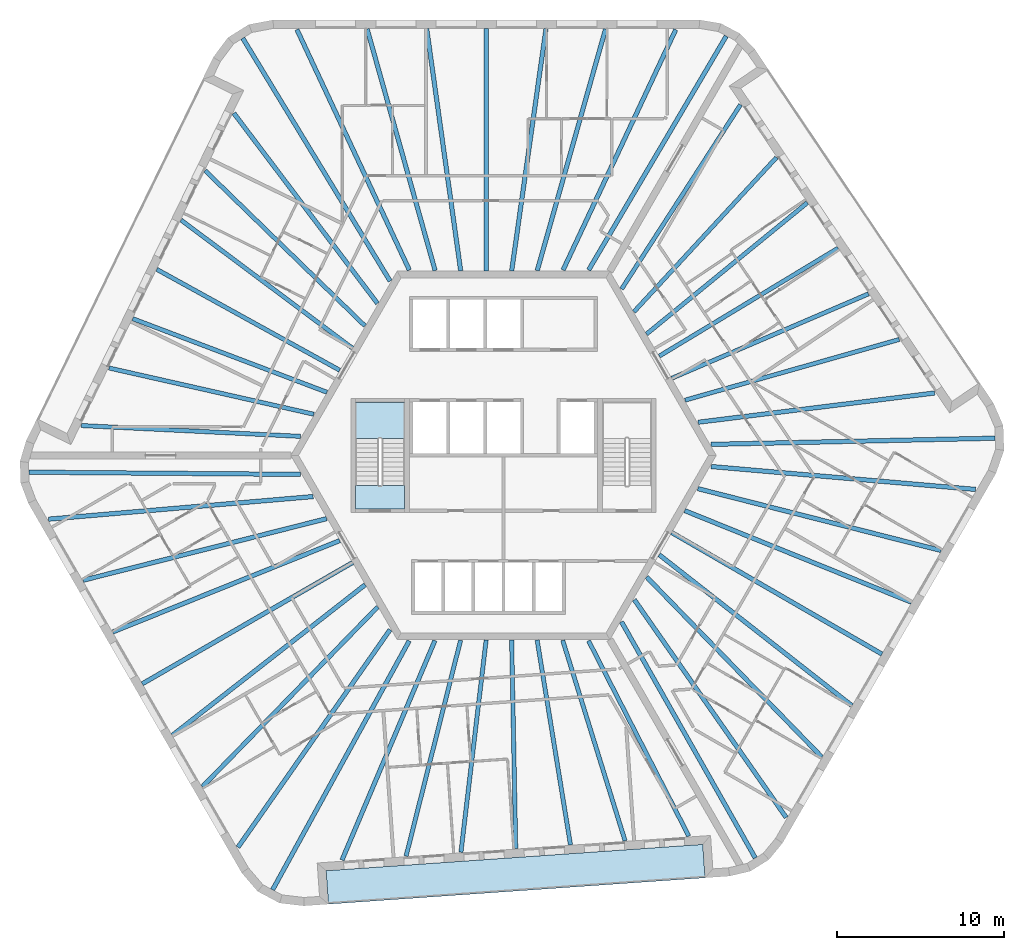
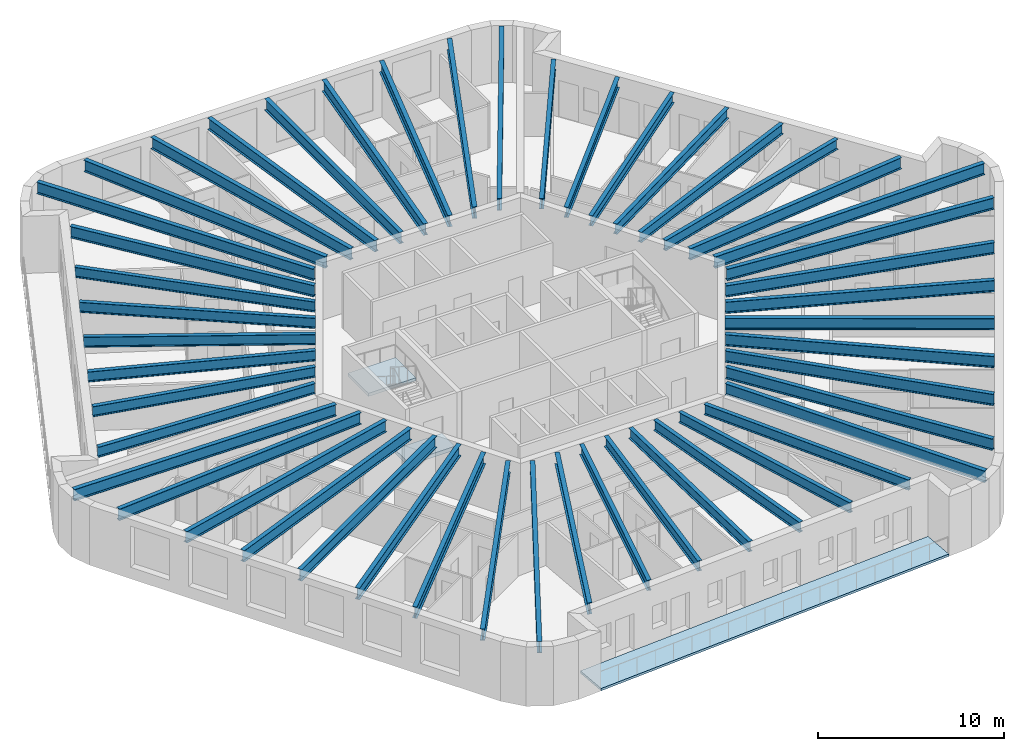
# One storey, part 1 of 12: 48 beams, 3 slabs, 1 element without a shape of its own.
"""IFC4 building model written with IfcOpenShell, lengths in metres."""

from ifc_helpers import new_model, si_unit, direction, frame, origin, origin_2d, place, context, subcontext, project, spatial, polyline, i_section, outline, extrude, material, layer, layer_set, material_profile, profile_set, type_object, element, aggregate, save


model = new_model("IFC4")

# Units and contexts
model_context = context("Model", 3, precision=1e-05, world=origin(), true_north=direction((0.0, 1.0)))
body_context = subcontext(model_context, "Body", "Model", "MODEL_VIEW")
ifc_project = project(units=[si_unit("LENGTHUNIT", "METRE"), si_unit("AREAUNIT", "SQUARE_METRE"), si_unit("VOLUMEUNIT", "CUBIC_METRE"), si_unit("PLANEANGLEUNIT", "RADIAN"), si_unit("MASSUNIT", "GRAM", prefix="KILO")], contexts=[model_context])

# Site, building, storey
site_placement = place(None, origin())
site = spatial("IfcSite", under=ifc_project, at=site_placement, CompositionType="ELEMENT")
building_placement = place(site_placement, origin())
building = spatial("IfcBuilding", under=site, at=building_placement, Name="Tarnside Tower", CompositionType="ELEMENT")
storey_placement = place(building_placement, frame((0.0, 0.0, 330.300048828125)))
storey = spatial("IfcBuildingStorey", under=building, at=storey_placement, Name="L80", CompositionType="ELEMENT", Elevation=330.300048828125)

# Beams
ifc_material_1 = material(Name="Steel S355", Category="steel")
ifc_material_profile_1 = material_profile(ifc_material_1, i_section(OverallWidth=0.2529296875, OverallDepth=0.677978515625, WebThickness=0.01171875, FlangeThickness=0.01611328125, FilletRadius=0.01513671875, at=origin_2d()), Name="UB 686x254x125")
ifc_profile_set_1 = profile_set([ifc_material_profile_1], Name="Steel S355")
beam_type_1 = type_object("IfcBeamType", Name="Floor beam UB 686x254x125", PredefinedType="BEAM", material=ifc_profile_set_1)
beam_1_placement = place(storey_placement, frame((-17.811279296875, 17.002197265625, 3.410888671875), z_axis=(0.717190986424, -0.696876666988, 0.0), x_axis=(0.696876666988, 0.717190986424, 0.0)))
element("IfcBeam", 1, at=beam_1_placement, inside=storey, type_object=beam_type_1, Name="Floor beam F2.02", PredefinedType="BEAM", context=body_context, shape_type="SweptSolid", body=[
    extrude(i_section(OverallWidth=0.2529296875, OverallDepth=0.677978515625, WebThickness=0.01171875, FlangeThickness=0.01611328125, FilletRadius=0.01513671875, at=origin_2d()), origin(), (0.0, 0.0, 1.0), 13.2919921875),
])
beam_2_placement = place(storey_placement, frame((-19.25, 14.0498046875, 3.410888671875), z_axis=(0.801006417676, -0.598655759883, 0.0), x_axis=(0.598655759883, 0.801006417676, 0.0)))
element("IfcBeam", 2, at=beam_2_placement, inside=storey, type_object=beam_type_1, Name="Floor beam F2.03", PredefinedType="BEAM", context=body_context, shape_type="SweptSolid", body=[
    extrude(i_section(OverallWidth=0.2529296875, OverallDepth=0.677978515625, WebThickness=0.01171875, FlangeThickness=0.01611328125, FilletRadius=0.01513671875, at=origin_2d()), origin(), (0.0, 0.0, 1.0), 12.764892578125),
])
beam_3_placement = place(storey_placement, frame((-20.70458984375, 11.111572265625, 3.410888671875), z_axis=(0.875666768762, -0.482915841619, 0.0), x_axis=(0.482915841619, 0.875666768762, 0.0)))
element("IfcBeam", 3, at=beam_3_placement, inside=storey, type_object=beam_type_1, Name="Floor beam F2.04", PredefinedType="BEAM", context=body_context, shape_type="SweptSolid", body=[
    extrude(i_section(OverallWidth=0.2529296875, OverallDepth=0.677978515625, WebThickness=0.01171875, FlangeThickness=0.01611328125, FilletRadius=0.01513671875, at=origin_2d()), origin(), (0.0, 0.0, 1.0), 12.468994140625),
])
beam_4_placement = place(storey_placement, frame((-22.141357421875, 8.165771484375, 3.410888671875), z_axis=(0.935116350489, -0.354340811998, 0.0), x_axis=(0.354340811998, 0.935116350489, 0.0)))
element("IfcBeam", 4, at=beam_4_placement, inside=storey, type_object=beam_type_1, Name="Floor beam F2.05", PredefinedType="BEAM", context=body_context, shape_type="SweptSolid", body=[
    extrude(i_section(OverallWidth=0.2529296875, OverallDepth=0.677978515625, WebThickness=0.01171875, FlangeThickness=0.01611328125, FilletRadius=0.01513671875, at=origin_2d()), origin(), (0.0, 0.0, 1.0), 12.399169921875),
])
beam_5_placement = place(storey_placement, frame((-23.556884765625, 5.2197265625, 3.410888671875), z_axis=(0.975445185376, -0.220242344534, 0.0), x_axis=(0.220242344534, 0.975445185376, 0.0)))
element("IfcBeam", 5, at=beam_5_placement, inside=storey, type_object=beam_type_1, Name="Floor beam F2.06", PredefinedType="BEAM", context=body_context, shape_type="SweptSolid", body=[
    extrude(i_section(OverallWidth=0.2529296875, OverallDepth=0.677978515625, WebThickness=0.01171875, FlangeThickness=0.01611328125, FilletRadius=0.01513671875, at=origin_2d()), origin(), (0.0, 0.0, 1.0), 12.538330078125),
])
beam_6_placement = place(storey_placement, frame((-25.214599609375, 1.7841796875, 3.410888671875), z_axis=(0.998783137237, -0.049317793651, 0.0), x_axis=(0.049317793651, 0.998783137237, 0.0)))
element("IfcBeam", 6, at=beam_6_placement, inside=storey, type_object=beam_type_1, Name="Floor beam F2.07", PredefinedType="BEAM", context=body_context, shape_type="SweptSolid", body=[
    extrude(i_section(OverallWidth=0.2529296875, OverallDepth=0.677978515625, WebThickness=0.01171875, FlangeThickness=0.01611328125, FilletRadius=0.01513671875, at=origin_2d()), origin(), (0.0, 0.0, 1.0), 13.103515625),
])
beam_7_placement = place(storey_placement, frame((-5.818603515625, -23.92626953125, 3.410888671875), z_axis=(0.244907502604, 0.969546448175, 0.0), x_axis=(-0.969546448175, 0.244907502604, 0.0)))
element("IfcBeam", 7, at=beam_7_placement, inside=storey, type_object=beam_type_1, Name="Floor beam F4.02", PredefinedType="BEAM", context=body_context, shape_type="SweptSolid", body=[
    extrude(i_section(OverallWidth=0.2529296875, OverallDepth=0.677978515625, WebThickness=0.01171875, FlangeThickness=0.01611328125, FilletRadius=0.01513671875, at=origin_2d()), origin(), (0.0, 0.0, 1.0), 13.292236328125),
])
beam_8_placement = place(storey_placement, frame((-2.54248046875, -23.69580078125, 3.410888671875), z_axis=(0.117949762105, 0.993019563563, 0.0), x_axis=(-0.993019563563, 0.117949762105, 0.0)))
element("IfcBeam", 8, at=beam_8_placement, inside=storey, type_object=beam_type_1, Name="Floor beam F4.03", PredefinedType="BEAM", context=body_context, shape_type="SweptSolid", body=[
    extrude(i_section(OverallWidth=0.2529296875, OverallDepth=0.677978515625, WebThickness=0.01171875, FlangeThickness=0.01611328125, FilletRadius=0.01513671875, at=origin_2d()), origin(), (0.0, 0.0, 1.0), 12.764892578125),
])
beam_9_placement = place(storey_placement, frame((0.7294921875, -23.486328125, 3.410888671875), z_axis=(-0.019619426101, 0.999807520536, 0.0), x_axis=(-0.999807520536, -0.019619426101, 0.0)))
element("IfcBeam", 9, at=beam_9_placement, inside=storey, type_object=beam_type_1, Name="Floor beam F4.04", PredefinedType="BEAM", context=body_context, shape_type="SweptSolid", body=[
    extrude(i_section(OverallWidth=0.2529296875, OverallDepth=0.677978515625, WebThickness=0.01171875, FlangeThickness=0.01611328125, FilletRadius=0.01513671875, at=origin_2d()), origin(), (0.0, 0.0, 1.0), 12.46875),
])
beam_10_placement = place(storey_placement, frame((3.9990234375, -23.2578125, 3.410888671875), z_axis=(-0.160690769029, 0.987004800773, 0.0), x_axis=(-0.987004800773, -0.160690769029, 0.0)))
element("IfcBeam", 10, at=beam_10_placement, inside=storey, type_object=beam_type_1, Name="Floor beam F4.05", PredefinedType="BEAM", context=body_context, shape_type="SweptSolid", body=[
    extrude(i_section(OverallWidth=0.2529296875, OverallDepth=0.677978515625, WebThickness=0.01171875, FlangeThickness=0.01611328125, FilletRadius=0.01513671875, at=origin_2d()), origin(), (0.0, 0.0, 1.0), 12.399169921875),
])
beam_11_placement = place(storey_placement, frame((7.258056640625, -23.0107421875, 3.410888671875), z_axis=(-0.296997512057, 0.954878252885, 0.0), x_axis=(-0.954878252885, -0.296997512057, 0.0)))
element("IfcBeam", 11, at=beam_11_placement, inside=storey, type_object=beam_type_1, Name="Floor beam F4.06", PredefinedType="BEAM", context=body_context, shape_type="SweptSolid", body=[
    extrude(i_section(OverallWidth=0.2529296875, OverallDepth=0.677978515625, WebThickness=0.01171875, FlangeThickness=0.01611328125, FilletRadius=0.01513671875, at=origin_2d()), origin(), (0.0, 0.0, 1.0), 12.538330078125),
])
beam_12_placement = place(storey_placement, frame((11.06201171875, -22.728515625, 3.410888671875), z_axis=(-0.456683143477, 0.889629420862, 0.0), x_axis=(-0.889629420862, -0.456683143477, 0.0)))
element("IfcBeam", 12, at=beam_12_placement, inside=storey, type_object=beam_type_1, Name="Floor beam F4.07", PredefinedType="BEAM", context=body_context, shape_type="SweptSolid", body=[
    extrude(i_section(OverallWidth=0.2529296875, OverallDepth=0.677978515625, WebThickness=0.01171875, FlangeThickness=0.01611328125, FilletRadius=0.01513671875, at=origin_2d()), origin(), (0.0, 0.0, 1.0), 13.103515625),
])
beam_13_placement = place(storey_placement, frame((23.6298828125, 6.924072265625, 3.410888671875), z_axis=(-0.962104001021, -0.272682766636, 0.0), x_axis=(0.272682766636, -0.962104001021, 0.0)))
element("IfcBeam", 13, at=beam_13_placement, inside=storey, type_object=beam_type_1, Name="Floor beam F6.02", PredefinedType="BEAM", context=body_context, shape_type="SweptSolid", body=[
    extrude(i_section(OverallWidth=0.2529296875, OverallDepth=0.677978515625, WebThickness=0.01171875, FlangeThickness=0.01611328125, FilletRadius=0.01513671875, at=origin_2d()), origin(), (0.0, 0.0, 1.0), 13.2919921875),
])
beam_14_placement = place(storey_placement, frame((21.792236328125, 9.64599609375, 3.410888671875), z_axis=(-0.918954980534, -0.394362452258, 0.0), x_axis=(0.394362452258, -0.918954980534, 0.0)))
element("IfcBeam", 14, at=beam_14_placement, inside=storey, type_object=beam_type_1, Name="Floor beam F6.03", PredefinedType="BEAM", context=body_context, shape_type="SweptSolid", body=[
    extrude(i_section(OverallWidth=0.2529296875, OverallDepth=0.677978515625, WebThickness=0.01171875, FlangeThickness=0.01611328125, FilletRadius=0.01513671875, at=origin_2d()), origin(), (0.0, 0.0, 1.0), 12.7646484375),
])
beam_15_placement = place(storey_placement, frame((19.97509765625, 12.375, 3.410888671875), z_axis=(-0.856046953876, -0.516898068055, 0.0), x_axis=(0.516898068055, -0.856046953876, 0.0)))
element("IfcBeam", 15, at=beam_15_placement, inside=storey, type_object=beam_type_1, Name="Floor beam F6.04", PredefinedType="BEAM", context=body_context, shape_type="SweptSolid", body=[
    extrude(i_section(OverallWidth=0.2529296875, OverallDepth=0.677978515625, WebThickness=0.01171875, FlangeThickness=0.01611328125, FilletRadius=0.01513671875, at=origin_2d()), origin(), (0.0, 0.0, 1.0), 12.46875),
])
beam_16_placement = place(storey_placement, frame((18.142333984375, 15.092041015625, 3.410888671875), z_axis=(-0.774438707576, -0.632648945473, 0.0), x_axis=(0.632648945473, -0.774438707576, 0.0)))
element("IfcBeam", 16, at=beam_16_placement, inside=storey, type_object=beam_type_1, Name="Floor beam F6.05", PredefinedType="BEAM", context=body_context, shape_type="SweptSolid", body=[
    extrude(i_section(OverallWidth=0.2529296875, OverallDepth=0.677978515625, WebThickness=0.01171875, FlangeThickness=0.01611328125, FilletRadius=0.01513671875, at=origin_2d()), origin(), (0.0, 0.0, 1.0), 12.39892578125),
])
beam_17_placement = place(storey_placement, frame((16.299072265625, 17.791015625, 3.410888671875), z_axis=(-0.67846123451, -0.734636204708, 0.0), x_axis=(0.734636204708, -0.67846123451, 0.0)))
element("IfcBeam", 17, at=beam_17_placement, inside=storey, type_object=beam_type_1, Name="Floor beam F6.06", PredefinedType="BEAM", context=body_context, shape_type="SweptSolid", body=[
    extrude(i_section(OverallWidth=0.2529296875, OverallDepth=0.677978515625, WebThickness=0.01171875, FlangeThickness=0.01611328125, FilletRadius=0.01513671875, at=origin_2d()), origin(), (0.0, 0.0, 1.0), 12.538330078125),
])
beam_18_placement = place(storey_placement, frame((14.152587890625, 20.9443359375, 3.410888671875), z_axis=(-0.54209970956, -0.840314170352, 0.0), x_axis=(0.840314170352, -0.54209970956, 0.0)))
element("IfcBeam", 18, at=beam_18_placement, inside=storey, type_object=beam_type_1, Name="Floor beam F6.07", PredefinedType="BEAM", context=body_context, shape_type="SweptSolid", body=[
    extrude(i_section(OverallWidth=0.2529296875, OverallDepth=0.677978515625, WebThickness=0.01171875, FlangeThickness=0.01611328125, FilletRadius=0.01513671875, at=origin_2d()), origin(), (0.0, 0.0, 1.0), 13.103759765625),
])
ifc_material_profile_2 = material_profile(ifc_material_1, i_section(OverallWidth=0.26513671875, OverallDepth=0.75390625, WebThickness=0.0126953125, FlangeThickness=0.017578125, FilletRadius=0.0166015625, at=origin_2d()), Name="UB 762x267x147")
ifc_profile_set_2 = profile_set([ifc_material_profile_2], Name="Steel S355")
beam_type_2 = type_object("IfcBeamType", Name="Floor beam UB 762x267x147", PredefinedType="BEAM", material=ifc_profile_set_2)
beam_19_placement = place(storey_placement, frame((6.093505859375, 25.46142578125, 3.373046875), z_axis=(-0.272147186115, -0.962255636039, 0.0), x_axis=(0.962255636039, -0.272147186115, 0.0)))
element("IfcBeam", 19, at=beam_19_placement, inside=storey, type_object=beam_type_2, Name="Floor beam F1.02", PredefinedType="BEAM", context=body_context, shape_type="SweptSolid", body=[
    extrude(i_section(OverallWidth=0.26513671875, OverallDepth=0.75390625, WebThickness=0.0126953125, FlangeThickness=0.017578125, FilletRadius=0.0166015625, at=origin_2d()), origin(), (0.0, 0.0, 1.0), 14.988525390625),
])
beam_20_placement = place(storey_placement, frame((2.537109375, 25.480224609375, 3.373046875), z_axis=(-0.140349428967, -0.990102034029, 0.0), x_axis=(0.990102034029, -0.140349428967, 0.0)))
element("IfcBeam", 20, at=beam_20_placement, inside=storey, type_object=beam_type_2, Name="Floor beam F1.03", PredefinedType="BEAM", context=body_context, shape_type="SweptSolid", body=[
    extrude(i_section(OverallWidth=0.26513671875, OverallDepth=0.75390625, WebThickness=0.0126953125, FlangeThickness=0.017578125, FilletRadius=0.0166015625, at=origin_2d()), origin(), (0.0, 0.0, 1.0), 14.60498046875),
])
beam_21_placement = place(storey_placement, frame((-1.02490234375, 25.5, 3.373046875), z_axis=(-0.000656653953, -0.999999784403, 0.0), x_axis=(0.999999784403, -0.000656653953, 0.0)))
element("IfcBeam", 21, at=beam_21_placement, inside=storey, type_object=beam_type_2, Name="Floor beam F1.04", PredefinedType="BEAM", context=body_context, shape_type="SweptSolid", body=[
    extrude(i_section(OverallWidth=0.26513671875, OverallDepth=0.75390625, WebThickness=0.0126953125, FlangeThickness=0.017578125, FilletRadius=0.0166015625, at=origin_2d()), origin(), (0.0, 0.0, 1.0), 14.5),
])
beam_22_placement = place(storey_placement, frame((-4.5869140625, 25.480224609375, 3.373046875), z_axis=(0.139070897001, -0.990282427193, 0.0), x_axis=(0.990282427193, 0.139070897001, 0.0)))
element("IfcBeam", 22, at=beam_22_placement, inside=storey, type_object=beam_type_2, Name="Floor beam F1.05", PredefinedType="BEAM", context=body_context, shape_type="SweptSolid", body=[
    extrude(i_section(OverallWidth=0.26513671875, OverallDepth=0.75390625, WebThickness=0.0126953125, FlangeThickness=0.017578125, FilletRadius=0.0166015625, at=origin_2d()), origin(), (0.0, 0.0, 1.0), 14.602294921875),
])
beam_23_placement = place(storey_placement, frame((-8.1435546875, 25.46142578125, 3.373046875), z_axis=(0.270985274434, -0.962583493023, 0.0), x_axis=(0.962583493023, 0.270985274434, 0.0)))
element("IfcBeam", 23, at=beam_23_placement, inside=storey, type_object=beam_type_2, Name="Floor beam F1.06", PredefinedType="BEAM", context=body_context, shape_type="SweptSolid", body=[
    extrude(i_section(OverallWidth=0.26513671875, OverallDepth=0.75390625, WebThickness=0.0126953125, FlangeThickness=0.017578125, FilletRadius=0.0166015625, at=origin_2d()), origin(), (0.0, 0.0, 1.0), 14.9833984375),
])
beam_24_placement = place(storey_placement, frame((-16.101318359375, 20.43212890625, 3.373046875), z_axis=(0.602566097863, -0.798068980543, 0.0), x_axis=(0.798068980543, 0.602566097863, 0.0)))
element("IfcBeam", 24, at=beam_24_placement, inside=storey, type_object=beam_type_2, Name="Floor beam F2.01", PredefinedType="BEAM", context=body_context, shape_type="SweptSolid", body=[
    extrude(i_section(OverallWidth=0.26513671875, OverallDepth=0.75390625, WebThickness=0.0126953125, FlangeThickness=0.017578125, FilletRadius=0.0166015625, at=origin_2d()), origin(), (0.0, 0.0, 1.0), 14.231201171875),
])
beam_25_placement = place(storey_placement, frame((-25.09716796875, -7.45361328125, 3.373046875), z_axis=(0.969413823687, 0.245431942592, 0.0), x_axis=(-0.245431942592, 0.969413823687, 0.0)))
element("IfcBeam", 25, at=beam_25_placement, inside=storey, type_object=beam_type_2, Name="Floor beam F3.02", PredefinedType="BEAM", context=body_context, shape_type="SweptSolid", body=[
    extrude(i_section(OverallWidth=0.26513671875, OverallDepth=0.75390625, WebThickness=0.0126953125, FlangeThickness=0.017578125, FilletRadius=0.0166015625, at=origin_2d()), origin(), (0.0, 0.0, 1.0), 14.98876953125),
])
beam_26_placement = place(storey_placement, frame((-23.3349609375, -10.54296875, 3.373046875), z_axis=(0.927625766949, 0.373510958998, 0.0), x_axis=(-0.373510958998, 0.927625766949, 0.0)))
element("IfcBeam", 26, at=beam_26_placement, inside=storey, type_object=beam_type_2, Name="Floor beam F3.03", PredefinedType="BEAM", context=body_context, shape_type="SweptSolid", body=[
    extrude(i_section(OverallWidth=0.26513671875, OverallDepth=0.75390625, WebThickness=0.0126953125, FlangeThickness=0.017578125, FilletRadius=0.0166015625, at=origin_2d()), origin(), (0.0, 0.0, 1.0), 14.60498046875),
])
beam_27_placement = place(storey_placement, frame((-21.5712890625, -13.6376953125, 3.373046875), z_axis=(0.866357363831, 0.499424587036, 0.0), x_axis=(-0.499424587036, 0.866357363831, 0.0)))
element("IfcBeam", 27, at=beam_27_placement, inside=storey, type_object=beam_type_2, Name="Floor beam F3.04", PredefinedType="BEAM", context=body_context, shape_type="SweptSolid", body=[
    extrude(i_section(OverallWidth=0.26513671875, OverallDepth=0.75390625, WebThickness=0.0126953125, FlangeThickness=0.017578125, FilletRadius=0.0166015625, at=origin_2d()), origin(), (0.0, 0.0, 1.0), 14.5),
])
beam_28_placement = place(storey_placement, frame((-19.77294921875, -16.71240234375, 3.373046875), z_axis=(0.788074813552, 0.615579473541, 0.0), x_axis=(-0.615579473541, 0.788074813552, 0.0)))
element("IfcBeam", 28, at=beam_28_placement, inside=storey, type_object=beam_type_2, Name="Floor beam F3.05", PredefinedType="BEAM", context=body_context, shape_type="SweptSolid", body=[
    extrude(i_section(OverallWidth=0.26513671875, OverallDepth=0.75390625, WebThickness=0.0126953125, FlangeThickness=0.017578125, FilletRadius=0.0166015625, at=origin_2d()), origin(), (0.0, 0.0, 1.0), 14.60205078125),
])
beam_29_placement = place(storey_placement, frame((-17.978515625, -19.783203125, 3.373046875), z_axis=(0.698129580508, 0.71597143017, 0.0), x_axis=(-0.71597143017, 0.698129580508, 0.0)))
element("IfcBeam", 29, at=beam_29_placement, inside=storey, type_object=beam_type_2, Name="Floor beam F3.06", PredefinedType="BEAM", context=body_context, shape_type="SweptSolid", body=[
    extrude(i_section(OverallWidth=0.26513671875, OverallDepth=0.75390625, WebThickness=0.0126953125, FlangeThickness=0.017578125, FilletRadius=0.0166015625, at=origin_2d()), origin(), (0.0, 0.0, 1.0), 14.983642578125),
])
beam_30_placement = place(storey_placement, frame((-9.64404296875, -24.160400390625, 3.373046875), z_axis=(0.389873911801, 0.920868249478, 0.0), x_axis=(-0.920868249478, 0.389873911801, 0.0)))
element("IfcBeam", 30, at=beam_30_placement, inside=storey, type_object=beam_type_2, Name="Floor beam F4.01", PredefinedType="BEAM", context=body_context, shape_type="SweptSolid", body=[
    extrude(i_section(OverallWidth=0.26513671875, OverallDepth=0.75390625, WebThickness=0.0126953125, FlangeThickness=0.017578125, FilletRadius=0.0166015625, at=origin_2d()), origin(), (0.0, 0.0, 1.0), 14.231201171875),
])
beam_31_placement = place(storey_placement, frame((19.00341796875, -18.008056640625, 3.373046875), z_axis=(-0.697249797022, 0.716828236437, 0.0), x_axis=(-0.716828236437, -0.697249797022, 0.0)))
element("IfcBeam", 31, at=beam_31_placement, inside=storey, type_object=beam_type_2, Name="Floor beam F5.02", PredefinedType="BEAM", context=body_context, shape_type="SweptSolid", body=[
    extrude(i_section(OverallWidth=0.26513671875, OverallDepth=0.75390625, WebThickness=0.0126953125, FlangeThickness=0.017578125, FilletRadius=0.0166015625, at=origin_2d()), origin(), (0.0, 0.0, 1.0), 14.98876953125),
])
beam_32_placement = place(storey_placement, frame((20.798095703125, -14.937255859375, 3.373046875), z_axis=(-0.787282014804, 0.616593082321, 0.0), x_axis=(-0.616593082321, -0.787282014804, 0.0)))
element("IfcBeam", 32, at=beam_32_placement, inside=storey, type_object=beam_type_2, Name="Floor beam F5.03", PredefinedType="BEAM", context=body_context, shape_type="SweptSolid", body=[
    extrude(i_section(OverallWidth=0.26513671875, OverallDepth=0.75390625, WebThickness=0.0126953125, FlangeThickness=0.017578125, FilletRadius=0.0166015625, at=origin_2d()), origin(), (0.0, 0.0, 1.0), 14.60498046875),
])
beam_33_placement = place(storey_placement, frame((22.59619140625, -11.8623046875, 3.373046875), z_axis=(-0.865697438889, 0.500567622106, 0.0), x_axis=(-0.500567622106, -0.865697438889, 0.0)))
element("IfcBeam", 33, at=beam_33_placement, inside=storey, type_object=beam_type_2, Name="Floor beam F5.04", PredefinedType="BEAM", context=body_context, shape_type="SweptSolid", body=[
    extrude(i_section(OverallWidth=0.26513671875, OverallDepth=0.75390625, WebThickness=0.0126953125, FlangeThickness=0.017578125, FilletRadius=0.0166015625, at=origin_2d()), origin(), (0.0, 0.0, 1.0), 14.500244140625),
])
beam_34_placement = place(storey_placement, frame((24.35986328125, -8.767578125, 3.373046875), z_axis=(-0.927145907531, 0.374700501933, 0.0), x_axis=(-0.374700501933, -0.927145907531, 0.0)))
element("IfcBeam", 34, at=beam_34_placement, inside=storey, type_object=beam_type_2, Name="Floor beam F5.05", PredefinedType="BEAM", context=body_context, shape_type="SweptSolid", body=[
    extrude(i_section(OverallWidth=0.26513671875, OverallDepth=0.75390625, WebThickness=0.0126953125, FlangeThickness=0.017578125, FilletRadius=0.0166015625, at=origin_2d()), origin(), (0.0, 0.0, 1.0), 14.60205078125),
])
beam_35_placement = place(storey_placement, frame((26.1220703125, -5.67822265625, 3.373046875), z_axis=(-0.969115089144, 0.246608888716, 0.0), x_axis=(-0.246608888716, -0.969115089144, 0.0)))
element("IfcBeam", 35, at=beam_35_placement, inside=storey, type_object=beam_type_2, Name="Floor beam F5.06", PredefinedType="BEAM", context=body_context, shape_type="SweptSolid", body=[
    extrude(i_section(OverallWidth=0.26513671875, OverallDepth=0.75390625, WebThickness=0.0126953125, FlangeThickness=0.017578125, FilletRadius=0.0166015625, at=origin_2d()), origin(), (0.0, 0.0, 1.0), 14.9833984375),
])
beam_36_placement = place(storey_placement, frame((25.745361328125, 3.72802734375, 3.373046875), z_axis=(-0.992433598491, -0.122782541866, 0.0), x_axis=(0.122782541866, -0.992433598491, 0.0)))
element("IfcBeam", 36, at=beam_36_placement, inside=storey, type_object=beam_type_2, Name="Floor beam F6.01", PredefinedType="BEAM", context=body_context, shape_type="SweptSolid", body=[
    extrude(i_section(OverallWidth=0.26513671875, OverallDepth=0.75390625, WebThickness=0.0126953125, FlangeThickness=0.017578125, FilletRadius=0.0166015625, at=origin_2d()), origin(), (0.0, 0.0, 1.0), 14.23095703125),
])
ifc_material_profile_3 = material_profile(ifc_material_1, i_section(OverallWidth=0.2666015625, OverallDepth=0.76220703125, WebThickness=0.014404296875, FlangeThickness=0.021484375, FilletRadius=0.0166015625, at=origin_2d()), Name="UB 762x267x173")
ifc_profile_set_3 = profile_set([ifc_material_profile_3], Name="Steel S355")
beam_type_3 = type_object("IfcBeamType", Name="Floor beam UB 762x267x173", PredefinedType="BEAM", material=ifc_profile_set_3)
beam_37_placement = place(storey_placement, frame((10.285400390625, 25.427490234375, 3.368896484375), z_axis=(-0.424439399801, -0.905456346765, 0.0), x_axis=(0.905456346765, -0.424439399801, 0.0)))
element("IfcBeam", 37, at=beam_37_placement, inside=storey, type_object=beam_type_3, Name="Floor beam F1.01", PredefinedType="BEAM", context=body_context, shape_type="SweptSolid", body=[
    extrude(i_section(OverallWidth=0.2666015625, OverallDepth=0.76220703125, WebThickness=0.014404296875, FlangeThickness=0.021484375, FilletRadius=0.0166015625, at=origin_2d()), origin(), (0.0, 0.0, 1.0), 15.853759765625),
])
beam_38_placement = place(storey_placement, frame((-12.335205078125, 25.427490234375, 3.368896484375), z_axis=(0.423453877267, -0.905917663934, 0.0), x_axis=(0.905917663934, 0.423453877267, 0.0)))
element("IfcBeam", 38, at=beam_38_placement, inside=storey, type_object=beam_type_3, Name="Floor beam F1.07", PredefinedType="BEAM", context=body_context, shape_type="SweptSolid", body=[
    extrude(i_section(OverallWidth=0.2666015625, OverallDepth=0.76220703125, WebThickness=0.014404296875, FlangeThickness=0.021484375, FilletRadius=0.0166015625, at=origin_2d()), origin(), (0.0, 0.0, 1.0), 15.845703125),
])
beam_39_placement = place(storey_placement, frame((-15.5703125, 24.91162109375, 3.368896484375), z_axis=(0.518716683755, -0.854946198304, 0.0), x_axis=(0.854946198304, 0.518716683755, 0.0)))
element("IfcBeam", 39, at=beam_39_placement, inside=storey, type_object=beam_type_3, Name="Floor beam C1", PredefinedType="BEAM", context=body_context, shape_type="SweptSolid", body=[
    extrude(i_section(OverallWidth=0.2666015625, OverallDepth=0.76220703125, WebThickness=0.014404296875, FlangeThickness=0.021484375, FilletRadius=0.0166015625, at=origin_2d()), origin(), (0.0, 0.0, 1.0), 16.961181640625),
])
beam_40_placement = place(storey_placement, frame((-28.3291015625, -1.0009765625, 3.368896484375), z_axis=(0.999966651082, -0.008166806173, 0.0), x_axis=(0.008166806173, 0.999966651082, 0.0)))
element("IfcBeam", 40, at=beam_40_placement, inside=storey, type_object=beam_type_3, Name="Floor beam C2", PredefinedType="BEAM", context=body_context, shape_type="SweptSolid", body=[
    extrude(i_section(OverallWidth=0.2666015625, OverallDepth=0.76220703125, WebThickness=0.014404296875, FlangeThickness=0.021484375, FilletRadius=0.0166015625, at=origin_2d()), origin(), (0.0, 0.0, 1.0), 16.20263671875),
])
beam_41_placement = place(storey_placement, frame((-27.16357421875, -3.806396484375, 3.368896484375), z_axis=(0.996367434748, 0.085158293626, 0.0), x_axis=(-0.085158293626, 0.996367434748, 0.0)))
element("IfcBeam", 41, at=beam_41_placement, inside=storey, type_object=beam_type_3, Name="Floor beam F3.01", PredefinedType="BEAM", context=body_context, shape_type="SweptSolid", body=[
    extrude(i_section(OverallWidth=0.2666015625, OverallDepth=0.76220703125, WebThickness=0.014404296875, FlangeThickness=0.021484375, FilletRadius=0.0166015625, at=origin_2d()), origin(), (0.0, 0.0, 1.0), 15.85400390625),
])
beam_42_placement = place(storey_placement, frame((-15.853271484375, -23.396484375, 3.368896484375), z_axis=(0.572816933654, 0.819683329414, 0.0), x_axis=(-0.819683329414, 0.572816933654, 0.0)))
element("IfcBeam", 42, at=beam_42_placement, inside=storey, type_object=beam_type_3, Name="Floor beam F3.07", PredefinedType="BEAM", context=body_context, shape_type="SweptSolid", body=[
    extrude(i_section(OverallWidth=0.2666015625, OverallDepth=0.76220703125, WebThickness=0.014404296875, FlangeThickness=0.021484375, FilletRadius=0.0166015625, at=origin_2d()), origin(), (0.0, 0.0, 1.0), 15.84619140625),
])
beam_43_placement = place(storey_placement, frame((-13.788818359375, -25.93994140625, 3.368896484375), z_axis=(0.481036073107, 0.876700802081, 0.0), x_axis=(-0.876700802081, 0.481036073107, 0.0)))
element("IfcBeam", 43, at=beam_43_placement, inside=storey, type_object=beam_type_3, Name="Floor beam C3", PredefinedType="BEAM", context=body_context, shape_type="SweptSolid", body=[
    extrude(i_section(OverallWidth=0.2666015625, OverallDepth=0.76220703125, WebThickness=0.014404296875, FlangeThickness=0.021484375, FilletRadius=0.0166015625, at=origin_2d()), origin(), (0.0, 0.0, 1.0), 16.961181640625),
])
beam_44_placement = place(storey_placement, frame((15.031494140625, -24.033447265625, 3.368896484375), z_axis=(-0.49290801997, 0.870081423689, 0.0), x_axis=(-0.870081423689, -0.49290801997, 0.0)))
element("IfcBeam", 44, at=beam_44_placement, inside=storey, type_object=beam_type_3, Name="Floor beam C4", PredefinedType="BEAM", context=body_context, shape_type="SweptSolid", body=[
    extrude(i_section(OverallWidth=0.2666015625, OverallDepth=0.76220703125, WebThickness=0.014404296875, FlangeThickness=0.021484375, FilletRadius=0.0166015625, at=origin_2d()), origin(), (0.0, 0.0, 1.0), 16.202880859375),
])
beam_45_placement = place(storey_placement, frame((16.87841796875, -21.62109375, 3.368896484375), z_axis=(-0.571946235641, 0.82029110902, 0.0), x_axis=(-0.82029110902, -0.571946235641, 0.0)))
element("IfcBeam", 45, at=beam_45_placement, inside=storey, type_object=beam_type_3, Name="Floor beam F5.01", PredefinedType="BEAM", context=body_context, shape_type="SweptSolid", body=[
    extrude(i_section(OverallWidth=0.2666015625, OverallDepth=0.76220703125, WebThickness=0.014404296875, FlangeThickness=0.021484375, FilletRadius=0.0166015625, at=origin_2d()), origin(), (0.0, 0.0, 1.0), 15.85400390625),
])
beam_46_placement = place(storey_placement, frame((28.1884765625, -2.03125, 3.368896484375), z_axis=(-0.996273584651, 0.086249316098, 0.0), x_axis=(-0.086249316098, -0.996273584651, 0.0)))
element("IfcBeam", 46, at=beam_46_placement, inside=storey, type_object=beam_type_3, Name="Floor beam F5.07", PredefinedType="BEAM", context=body_context, shape_type="SweptSolid", body=[
    extrude(i_section(OverallWidth=0.2666015625, OverallDepth=0.76220703125, WebThickness=0.014404296875, FlangeThickness=0.021484375, FilletRadius=0.0166015625, at=origin_2d()), origin(), (0.0, 0.0, 1.0), 15.845947265625),
])
beam_47_placement = place(storey_placement, frame((29.359130859375, 1.028564453125, 3.368896484375), z_axis=(-0.999763142455, -0.02176370807, 0.0), x_axis=(0.02176370807, -0.999763142455, 0.0)))
element("IfcBeam", 47, at=beam_47_placement, inside=storey, type_object=beam_type_3, Name="Floor beam C5", PredefinedType="BEAM", context=body_context, shape_type="SweptSolid", body=[
    extrude(i_section(OverallWidth=0.2666015625, OverallDepth=0.76220703125, WebThickness=0.014404296875, FlangeThickness=0.021484375, FilletRadius=0.0166015625, at=origin_2d()), origin(), (0.0, 0.0, 1.0), 16.961181640625),
])
beam_48_placement = place(storey_placement, frame((13.2978515625, 25.0341796875, 3.368896484375), z_axis=(-0.507080048325, -0.861898964259, 0.0), x_axis=(0.861898964259, -0.507080048325, 0.0)))
element("IfcBeam", 48, at=beam_48_placement, inside=storey, type_object=beam_type_3, Name="Floor beam C6", PredefinedType="BEAM", context=body_context, shape_type="SweptSolid", body=[
    extrude(i_section(OverallWidth=0.2666015625, OverallDepth=0.76220703125, WebThickness=0.014404296875, FlangeThickness=0.021484375, FilletRadius=0.0166015625, at=origin_2d()), origin(), (0.0, 0.0, 1.0), 16.20263671875),
])

# Slabs
ifc_material_2 = material(Name="Concrete C40/50", Category="concrete")
ifc_layer_1 = layer(ifc_material_2, 0.25)
ifc_layer_set_1 = layer_set([ifc_layer_1], Name="Core slab C40/50")
slab_type_1 = type_object("IfcSlabType", Name="Core slab C40/50", PredefinedType="FLOOR", material=ifc_layer_set_1)
slab_1_placement = place(storey_placement, frame((0.0, 0.0, -0.25)))
element("IfcSlab", 49, at=slab_1_placement, inside=storey, type_object=slab_type_1, Name="L80 core floor slab 2", PredefinedType="FLOOR", context=body_context, shape_type="SweptSolid", body=[
    extrude(outline(polyline([(-8.85009765625, -3.199951171875), (-8.85009765625, -1.800048828125), (-5.89990234375, -1.800048828125), (-5.89990234375, -3.199951171875), (-8.85009765625, -3.199951171875)])), origin(), (0.0, 0.0, 1.0), 0.25),
])
ifc_material_3 = material(Name="Timber decking", Category="wood")
ifc_layer_2 = layer(ifc_material_3, 0.0400390625)
ifc_material_4 = material(Name="Concrete C60/75 precast", Category="concrete")
ifc_layer_3 = layer(ifc_material_4, 0.110107421875)
ifc_layer_set_2 = layer_set([ifc_layer_2, ifc_layer_3], Name="Loggia deck 150")
slab_type_2 = type_object("IfcSlabType", Name="Loggia deck 150", PredefinedType="FLOOR", material=ifc_layer_set_2)
slab_2_placement = place(storey_placement, frame((0.0, 0.0, -0.150146484375)))
element("IfcSlab", 50, at=slab_2_placement, inside=storey, type_object=slab_type_2, Name="Loggia deck L80 F4", PredefinedType="FLOOR", context=body_context, shape_type="SweptSolid", body=[
    extrude(outline(polyline([(-10.593017578125, -24.79931640625), (11.896728515625, -23.226806640625), (12.036376953125, -25.221923828125), (-10.45361328125, -26.79443359375), (-10.593017578125, -24.79931640625)])), origin(), (0.0, 0.0, 1.0), 0.150146484375),
])

# Stair, slab
stair_type = type_object("IfcStairType", Name="Exit stair 1400 clear", PredefinedType="HALF_TURN_STAIR", material=ifc_material_2)
stair_placement = place(storey_placement, origin())
stair = element("IfcStair", 51, at=stair_placement, inside=storey, type_object=stair_type, Name="L80 Exit stair 2", PredefinedType="HALF_TURN_STAIR")
ifc_layer_4 = layer(ifc_material_2, 0.199951171875)
ifc_layer_set_3 = layer_set([ifc_layer_4], Name="Stair landing 200 C40/50")
slab_type_3 = type_object("IfcSlabType", Name="Stair landing 200 C40/50", PredefinedType="LANDING", material=ifc_layer_set_3)
slab_3_placement = place(storey_placement, frame((0.0, 0.0, 1.75)))
slab_3 = element("IfcSlab", 52, at=slab_3_placement, type_object=slab_type_3, Name="ST2 landing 1", PredefinedType="LANDING", context=body_context, shape_type="SweptSolid", body=[
    extrude(outline(polyline([(-5.89990234375, 1.0), (-5.89990234375, 3.199951171875), (-8.85009765625, 3.199951171875), (-8.85009765625, 1.0), (-5.89990234375, 1.0)])), origin(), (0.0, 0.0, 1.0), 0.199951171875),
])
aggregate(stair, [slab_3])

save(model, "model.ifc")
